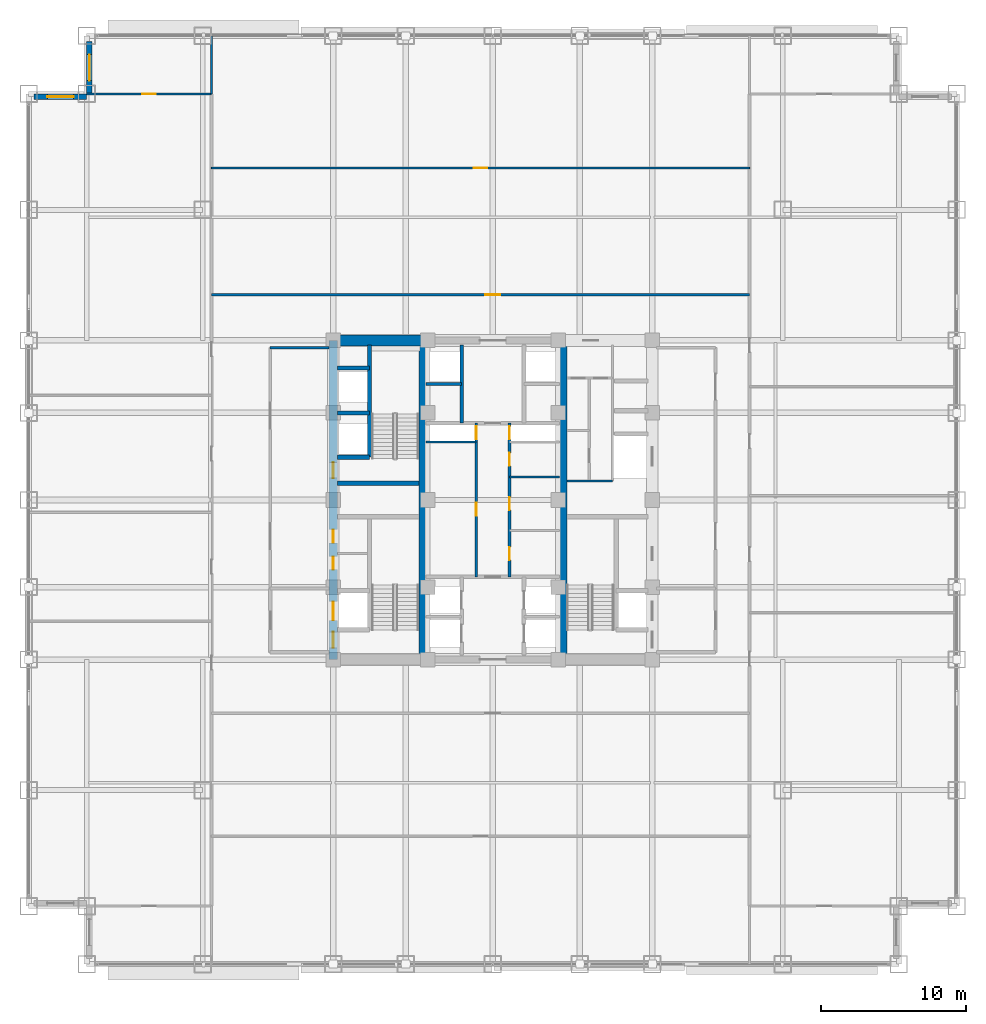
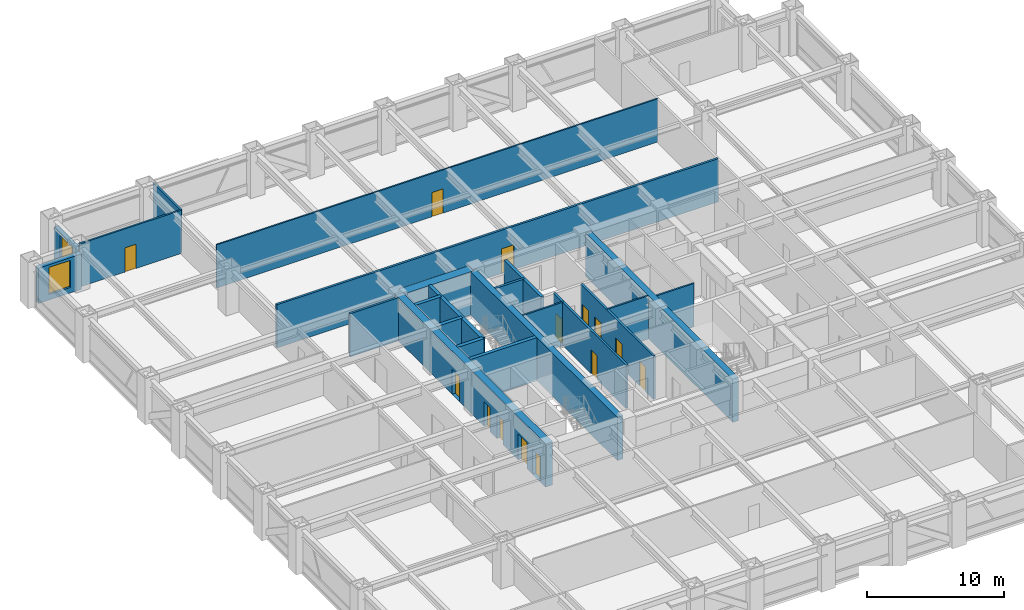
# One storey, part 25 of 32: 23 walls, 14 doors, 2 windows, 16 openings.
"""IFC4 building model written with IfcOpenShell, lengths in metres."""

from ifc_helpers import new_model, si_unit, direction, frame, frame_2d, origin, place, context, subcontext, project, spatial, rectangle, extrude, source, transform, mapped, material, layer, layer_set, type_object, element, fill, save


model = new_model("IFC4")

# Units and contexts
model_context = context("Model", 3, precision=1e-05, world=origin(), true_north=direction((0.0, 1.0)))
body_context = subcontext(model_context, "Body", "Model", "MODEL_VIEW")
ifc_project = project(units=[si_unit("LENGTHUNIT", "METRE"), si_unit("AREAUNIT", "SQUARE_METRE"), si_unit("VOLUMEUNIT", "CUBIC_METRE"), si_unit("PLANEANGLEUNIT", "RADIAN"), si_unit("MASSUNIT", "GRAM", prefix="KILO")], contexts=[model_context])

# Site, building, storey
site_placement = place(None, origin())
site = spatial("IfcSite", under=ifc_project, at=site_placement, CompositionType="ELEMENT")
building_placement = place(site_placement, origin())
building = spatial("IfcBuilding", under=site, at=building_placement, Name="Khorayat Bourse Tower", CompositionType="ELEMENT")
storey_placement = place(building_placement, frame((0.0, 0.0, 95.5)))
storey = spatial("IfcBuildingStorey", under=building, at=storey_placement, Name="L21", CompositionType="ELEMENT", Elevation=95.5)

# Wall, openings, doors
ifc_material_1 = material(Name="Concrete C60/75", Category="concrete")
ifc_layer_1 = layer(ifc_material_1, 0.60009765625)
ifc_layer_set_1 = layer_set([ifc_layer_1], Name="Concrete C60/75")
wall_type_1 = type_object("IfcWallType", Name="WAL-CORE-600", PredefinedType="SHEAR", material=ifc_layer_set_1)
shared_shape_1 = source(origin(), body_context, "Body", "SweptSolid", [
    extrude(rectangle(XDim=22.0, YDim=0.60009765625, at=frame_2d((11.0, 0.0))), origin(), (0.0, 0.0, 1.0), 3.840087890625),
])
wall_1_placement = place(storey_placement, frame((-11.0, -11.0, 0.0), z_axis=(0.0, 0.0, 1.0), x_axis=(0.0, 1.0, 0.0)))
wall_1 = element("IfcWall", 1, at=wall_1_placement, inside=storey, type_object=wall_type_1, Name="L21 Core Shear Wall CORE-W", PredefinedType="SHEAR", context=body_context, shape_type="MappedRepresentation", body=[
    mapped(shared_shape_1, transform((0.0, 0.0, 0.0), scale=1.0)),
])
shared_shape_2 = source(origin(), body_context, "Body", "SweptSolid", [
    extrude(rectangle(XDim=1.10009765625, YDim=2.199951171875, at=frame_2d((0.550048828125, 1.10009765625))), frame((0.0, 0.31005859375, 0.0), z_axis=(0.0, -1.0, 0.0), x_axis=(1.0, 0.0, 0.0)), (0.0, 0.0, 1.0), 0.6201171875),
])
opening_1_placement = place(wall_1_placement, frame((0.800048828125, 0.0, 0.0)))
opening_1 = element("IfcOpeningElement", 2, at=opening_1_placement, cuts=wall_1, Name="Opening DI-01", PredefinedType="OPENING", context=body_context, shape_type="MappedRepresentation", body=[
    mapped(shared_shape_2, transform((0.0, 0.0, 0.0), scale=1.0)),
])
opening_2_placement = place(wall_1_placement, frame((12.5, 0.0, 0.0)))
opening_2 = element("IfcOpeningElement", 3, at=opening_2_placement, cuts=wall_1, Name="Opening DI-01", PredefinedType="OPENING", context=body_context, shape_type="MappedRepresentation", body=[
    mapped(shared_shape_2, transform((0.0, 0.0, 0.0), scale=1.0)),
])
shared_shape_3 = source(origin(), body_context, "Body", "SweptSolid", [
    extrude(rectangle(XDim=0.89990234375, YDim=2.14990234375, at=frame_2d((0.449951171875, 1.074951171875))), frame((0.0, 0.31005859375, 0.0), z_axis=(0.0, -1.0, 0.0), x_axis=(1.0, 0.0, 0.0)), (0.0, 0.0, 1.0), 0.6201171875),
])
opening_3_placement = place(wall_1_placement, frame((6.199951171875, 0.0, 0.0)))
opening_3 = element("IfcOpeningElement", 4, at=opening_3_placement, cuts=wall_1, Name="Opening DI-06", PredefinedType="OPENING", context=body_context, shape_type="MappedRepresentation", body=[
    mapped(shared_shape_3, transform((0.0, 0.0, 0.0), scale=1.0)),
])
opening_4_placement = place(wall_1_placement, frame((8.050048828125, 0.0, 0.0)))
opening_4 = element("IfcOpeningElement", 5, at=opening_4_placement, cuts=wall_1, Name="Opening DI-06", PredefinedType="OPENING", context=body_context, shape_type="MappedRepresentation", body=[
    mapped(shared_shape_3, transform((0.0, 0.0, 0.0), scale=1.0)),
])
shared_shape_4 = source(origin(), body_context, "Body", "SweptSolid", [
    extrude(rectangle(XDim=1.300048828125, YDim=2.300048828125, at=frame_2d((0.64990234375, 1.14990234375))), frame((0.0, 0.31005859375, 0.0), z_axis=(0.0, -1.0, 0.0), x_axis=(1.0, 0.0, 0.0)), (0.0, 0.0, 1.0), 0.6201171875),
])
opening_5_placement = place(wall_1_placement, frame((2.699951171875, 0.0, 0.0)))
opening_5 = element("IfcOpeningElement", 6, at=opening_5_placement, cuts=wall_1, Name="Opening LD-02", PredefinedType="OPENING", context=body_context, shape_type="MappedRepresentation", body=[
    mapped(shared_shape_4, transform((0.0, 0.0, 0.0), scale=1.0)),
])
ifc_material_2 = material(Name="Fire-rated steel acoustic leaf", Category="steel")
door_type_1 = type_object("IfcDoorType", Name="DR-INT-STAIR-1100", OperationType="NOTDEFINED", PredefinedType="DOOR", material=ifc_material_2)
shared_shape_5 = source(origin(), body_context, "Body", "SweptSolid", [
    extrude(rectangle(XDim=1.10009765625, YDim=2.199951171875, at=frame_2d((0.550048828125, 1.10009765625))), frame((0.0, 0.02490234375, 0.0), z_axis=(0.0, -1.0, 0.0), x_axis=(1.0, 0.0, 0.0)), (0.0, 0.0, 1.0), 0.050048828125),
])
door_1_placement = place(opening_1_placement, origin())
door_1 = element("IfcDoor", 7, at=door_1_placement, inside=storey, type_object=door_type_1, Name="L21 Exit Stair 1 Door", OperationType="SINGLE_SWING_RIGHT", OverallHeight=2.199951171875, OverallWidth=1.10009765625, PredefinedType="DOOR", context=body_context, shape_type="MappedRepresentation", body=[
    mapped(shared_shape_5, transform((0.0, 0.0, 0.0), scale=1.0)),
])
fill(opening_1, door_1)
door_2_placement = place(opening_2_placement, origin())
door_2 = element("IfcDoor", 8, at=door_2_placement, inside=storey, type_object=door_type_1, Name="L21 Exit Stair 2 Door", OperationType="SINGLE_SWING_RIGHT", OverallHeight=2.199951171875, OverallWidth=1.10009765625, PredefinedType="DOOR", context=body_context, shape_type="MappedRepresentation", body=[
    mapped(shared_shape_5, transform((0.0, 0.0, 0.0), scale=1.0)),
])
fill(opening_2, door_2)
ifc_material_3 = material(Name="Moisture-resistant laminate washroom door")
door_type_2 = type_object("IfcDoorType", Name="DR-INT-WC-900", OperationType="NOTDEFINED", PredefinedType="DOOR", material=ifc_material_3)
shared_shape_6 = source(origin(), body_context, "Body", "SweptSolid", [
    extrude(rectangle(XDim=0.89990234375, YDim=2.14990234375, at=frame_2d((0.449951171875, 1.074951171875))), frame((0.0, 0.02490234375, 0.0), z_axis=(0.0, -1.0, 0.0), x_axis=(1.0, 0.0, 0.0)), (0.0, 0.0, 1.0), 0.050048828125),
])
door_3_placement = place(opening_3_placement, origin())
door_3 = element("IfcDoor", 9, at=door_3_placement, inside=storey, type_object=door_type_2, Name="L21 Electrical Plant Room Door", OperationType="SINGLE_SWING_RIGHT", OverallHeight=2.14990234375, OverallWidth=0.89990234375, PredefinedType="DOOR", context=body_context, shape_type="MappedRepresentation", body=[
    mapped(shared_shape_6, transform((0.0, 0.0, 0.0), scale=1.0)),
])
fill(opening_3, door_3)
door_4_placement = place(opening_4_placement, origin())
door_4 = element("IfcDoor", 10, at=door_4_placement, inside=storey, type_object=door_type_2, Name="L21 Cleaner Storage Room Door", OperationType="SINGLE_SWING_LEFT", OverallHeight=2.14990234375, OverallWidth=0.89990234375, PredefinedType="DOOR", context=body_context, shape_type="MappedRepresentation", body=[
    mapped(shared_shape_6, transform((0.0, 0.0, 0.0), scale=1.0)),
])
fill(opening_4, door_4)
ifc_material_4 = material(Name="Fire-rated stainless-steel sliding landing door", Category="steel")
door_type_3 = type_object("IfcDoorType", Name="DR-LIFT-FF-1300", OperationType="NOTDEFINED", PredefinedType="DOOR", material=ifc_material_4)
shared_shape_7 = source(origin(), body_context, "Body", "SweptSolid", [
    extrude(rectangle(XDim=1.300048828125, YDim=2.300048828125, at=frame_2d((0.64990234375, 1.14990234375))), frame((0.0, 0.02490234375, 0.0), z_axis=(0.0, -1.0, 0.0), x_axis=(1.0, 0.0, 0.0)), (0.0, 0.0, 1.0), 0.050048828125),
])
door_5_placement = place(opening_5_placement, origin())
door_5 = element("IfcDoor", 11, at=door_5_placement, inside=storey, type_object=door_type_3, Name="L21 Lift FFL-01 Sliding Landing Door", OperationType="SLIDING_TO_LEFT", OverallHeight=2.300048828125, OverallWidth=1.300048828125, PredefinedType="DOOR", context=body_context, shape_type="MappedRepresentation", body=[
    mapped(shared_shape_7, transform((0.0, 0.0, 0.0), scale=1.0)),
])
fill(opening_5, door_5)

# Walls
ifc_material_5 = material(Name="Concrete C52/65", Category="concrete")
ifc_layer_2 = layer(ifc_material_5, 0.5)
ifc_layer_set_2 = layer_set([ifc_layer_2], Name="Concrete C52/65")
wall_type_2 = type_object("IfcWallType", Name="WAL-CORE-500", PredefinedType="SHEAR", material=ifc_layer_set_2)
shared_shape_8 = source(origin(), body_context, "Body", "SweptSolid", [
    extrude(rectangle(XDim=21.39990234375, YDim=0.5, at=frame_2d((10.699951171875, 0.0))), origin(), (0.0, 0.0, 1.0), 3.840087890625),
])
for number, where, z_axis, x_axis, name in (
    (12, (-4.85009765625, -10.699951171875, 0.0), (0.0, 0.0, 1.0), (0.0, 1.0, 0.0), "L21 Core Shear Wall PIER-W"),
    (13, (4.85009765625, -10.699951171875, 0.0), (0.0, 0.0, 1.0), (0.0, 1.0, 0.0), "L21 Core Shear Wall PIER-E"),
):
    element("IfcWall", number, at=place(storey_placement, frame(where, z_axis=z_axis, x_axis=x_axis)), inside=storey, type_object=wall_type_2, Name=name, PredefinedType="SHEAR", context=body_context, shape_type="MappedRepresentation", body=[
        mapped(shared_shape_8, transform((0.0, 0.0, 0.0), scale=1.0)),
    ])
ifc_material_6 = material(Name="Concrete C72/90", Category="concrete")
ifc_layer_3 = layer(ifc_material_6, 0.75)
ifc_layer_set_3 = layer_set([ifc_layer_3], Name="Concrete C72/90")
wall_type_3 = type_object("IfcWallType", Name="WAL-CORE-750", PredefinedType="SHEAR", material=ifc_layer_set_3)
shared_shape_9 = source(origin(), body_context, "Body", "SweptSolid", [
    extrude(rectangle(XDim=5.849853515625, YDim=0.75, at=frame_2d((2.9248046875, 0.0))), origin(), (0.0, 0.0, 1.0), 3.840087890625),
])
wall_2_placement = place(storey_placement, frame((-10.699951171875, 11.0, 0.0), z_axis=(0.0, 0.0, 1.0), x_axis=(1.0, 0.0, 0.0)))
element("IfcWall", 14, at=wall_2_placement, inside=storey, type_object=wall_type_3, Name="L21 Core Shear Wall PIER-WN", PredefinedType="SHEAR", context=body_context, shape_type="MappedRepresentation", body=[
    mapped(shared_shape_9, transform((0.0, 0.0, 0.0), scale=1.0)),
])
ifc_material_7 = material(Name="Concrete C50/60", Category="concrete")
ifc_layer_4 = layer(ifc_material_7, 0.300048828125)
ifc_layer_set_4 = layer_set([ifc_layer_4], Name="Concrete C50/60")
wall_type_4 = type_object("IfcWallType", Name="WAL-SHAFT-300", PredefinedType="SHEAR", material=ifc_layer_set_4)
shared_shape_10 = source(origin(), body_context, "Body", "SweptSolid", [
    extrude(rectangle(XDim=5.599853515625, YDim=0.300048828125, at=frame_2d((2.7998046875, 0.0))), origin(), (0.0, 0.0, 1.0), 3.840087890625),
])
wall_3_placement = place(storey_placement, frame((-10.699951171875, 1.14990234375, 0.0), z_axis=(0.0, 0.0, 1.0), x_axis=(1.0, 0.0, 0.0)))
element("IfcWall", 15, at=wall_3_placement, inside=storey, type_object=wall_type_4, Name="L21 Core Shear Wall ST2-DIV", PredefinedType="SHEAR", context=body_context, shape_type="MappedRepresentation", body=[
    mapped(shared_shape_10, transform((0.0, 0.0, 0.0), scale=1.0)),
])

# Wall, opening, window
ifc_material_8 = material(Name="Precast concrete C45/55", Category="concrete")
ifc_layer_5 = layer(ifc_material_8, 0.3798828125)
ifc_layer_set_5 = layer_set([ifc_layer_5], Name="Precast concrete C45/55")
wall_type_5 = type_object("IfcWallType", Name="WAL-EXT-STONE-380", PredefinedType="STANDARD", material=ifc_layer_set_5)
shared_shape_11 = source(origin(), body_context, "Body", "SweptSolid", [
    extrude(rectangle(XDim=3.6201171875, YDim=0.3798828125, at=frame_2d((1.81005859375, 0.0))), origin(), (0.0, 0.0, 1.0), 3.14501953125),
])
wall_4_placement = place(storey_placement, frame((-27.81005859375, 28.0, 0.0), z_axis=(0.0, 0.0, 1.0), x_axis=(0.0, 1.0, 0.0)))
wall_4 = element("IfcWall", 16, at=wall_4_placement, inside=storey, type_object=wall_type_5, Name="L21 Re-Entrant Notch Limestone Wall NW-V", PredefinedType="STANDARD", context=body_context, shape_type="MappedRepresentation", body=[
    mapped(shared_shape_11, transform((0.0, 0.0, 0.0), scale=1.0)),
])
shared_shape_12 = source(origin(), body_context, "Body", "SweptSolid", [
    extrude(rectangle(XDim=1.800048828125, YDim=2.39990234375, at=frame_2d((0.89990234375, 1.199951171875))), frame((0.0, 0.199951171875, 0.0), z_axis=(0.0, -1.0, 0.0), x_axis=(1.0, 0.0, 0.0)), (0.0, 0.0, 1.0), 0.39990234375),
])
opening_6_placement = place(wall_4_placement, frame((0.909912109375, 0.0, 0.5)))
opening_6 = element("IfcOpeningElement", 17, at=opening_6_placement, cuts=wall_4, Name="Opening WN-04", PredefinedType="OPENING", context=body_context, shape_type="MappedRepresentation", body=[
    mapped(shared_shape_12, transform((0.0, 0.0, 0.0), scale=1.0)),
])
ifc_material_9 = material(Name="Low-E acoustic laminated double glazing", Category="glass")
window_type = type_object("IfcWindowType", Name="WIN-NOTCH-1800x2400", PartitioningType="SINGLE_PANEL", PredefinedType="WINDOW", material=ifc_material_9)
shared_shape_13 = source(origin(), body_context, "Body", "SweptSolid", [
    extrude(rectangle(XDim=1.800048828125, YDim=2.39990234375, at=frame_2d((0.89990234375, 1.199951171875))), frame((0.0, 0.030029296875, 0.0), z_axis=(0.0, -1.0, 0.0), x_axis=(1.0, 0.0, 0.0)), (0.0, 0.0, 1.0), 0.06005859375),
])
window_1_placement = place(opening_6_placement, origin())
window_1 = element("IfcWindow", 18, at=window_1_placement, inside=storey, type_object=window_type, Name="L21 Facade Window 1", OverallHeight=2.39990234375, OverallWidth=1.800048828125, PartitioningType="SINGLE_PANEL", PredefinedType="WINDOW", context=body_context, shape_type="MappedRepresentation", body=[
    mapped(shared_shape_13, transform((0.0, 0.0, 0.0), scale=1.0)),
])
fill(opening_6, window_1)

wall_5_placement = place(storey_placement, frame((-28.0, 27.81005859375, 0.0), z_axis=(0.0, 0.0, 1.0), x_axis=(-1.0, 0.0, 0.0)))
wall_5 = element("IfcWall", 19, at=wall_5_placement, inside=storey, type_object=wall_type_5, Name="L21 Re-Entrant Notch Limestone Wall NW-H", PredefinedType="STANDARD", context=body_context, shape_type="MappedRepresentation", body=[
    mapped(shared_shape_11, transform((0.0, 0.0, 0.0), scale=1.0)),
])
opening_7_placement = place(wall_5_placement, frame((0.909912109375, 0.0, 0.5)))
opening_7 = element("IfcOpeningElement", 20, at=opening_7_placement, cuts=wall_5, Name="Opening WN-04", PredefinedType="OPENING", context=body_context, shape_type="MappedRepresentation", body=[
    mapped(shared_shape_12, transform((0.0, 0.0, 0.0), scale=1.0)),
])
window_2_placement = place(opening_7_placement, origin())
window_2 = element("IfcWindow", 21, at=window_2_placement, inside=storey, type_object=window_type, Name="L21 Facade Window 1", OverallHeight=2.39990234375, OverallWidth=1.800048828125, PartitioningType="SINGLE_PANEL", PredefinedType="WINDOW", context=body_context, shape_type="MappedRepresentation", body=[
    mapped(shared_shape_13, transform((0.0, 0.0, 0.0), scale=1.0)),
])
fill(opening_7, window_2)

# Walls
shared_shape_14 = source(origin(), body_context, "Body", "SweptSolid", [
    extrude(rectangle(XDim=2.199951171875, YDim=0.300048828125, at=frame_2d((1.10009765625, 0.0))), origin(), (0.0, 0.0, 1.0), 3.840087890625),
])
for number, where, z_axis, x_axis, name in (
    (22, (-10.699951171875, 2.949951171875, 0.0), (0.0, 0.0, 1.0), (1.0, 0.0, 0.0), "L21 Partition WAL-L21-WPIER-H1S"),
    (23, (-10.699951171875, 6.0, 0.0), (0.0, 0.0, 1.0), (1.0, 0.0, 0.0), "L21 Partition WAL-L21-WPIER-H12"),
    (24, (-10.699951171875, 9.10009765625, 0.0), (0.0, 0.0, 1.0), (1.0, 0.0, 0.0), "L21 Partition WAL-L21-WPIER-H2N"),
):
    element("IfcWall", number, at=place(storey_placement, frame(where, z_axis=z_axis, x_axis=x_axis)), inside=storey, type_object=wall_type_4, Name=name, PredefinedType="SHEAR", context=body_context, shape_type="MappedRepresentation", body=[
        mapped(shared_shape_14, transform((0.0, 0.0, 0.0), scale=1.0)),
    ])
shared_shape_15 = source(origin(), body_context, "Body", "SweptSolid", [
    extrude(rectangle(XDim=7.75, YDim=0.300048828125, at=frame_2d((3.875, 0.0))), origin(), (0.0, 0.0, 1.0), 3.840087890625),
])
wall_6_placement = place(storey_placement, frame((-8.5, 2.949951171875, 0.0), z_axis=(0.0, 0.0, 1.0), x_axis=(0.0, 1.0, 0.0)))
element("IfcWall", 25, at=wall_6_placement, inside=storey, type_object=wall_type_4, Name="L21 Partition WAL-L21-WPIER-ST2S", PredefinedType="SHEAR", context=body_context, shape_type="MappedRepresentation", body=[
    mapped(shared_shape_15, transform((0.0, 0.0, 0.0), scale=1.0)),
])
ifc_material_10 = material(Name="Moisture-resistant masonry partition", Category="masonry")
ifc_layer_6 = layer(ifc_material_10, 0.139892578125)
ifc_layer_set_6 = layer_set([ifc_layer_6], Name="Moisture-resistant masonry partition")
wall_type_6 = type_object("IfcWallType", Name="WAL-PART-WET-140", PredefinedType="PARTITIONING", material=ifc_layer_set_6)
shared_shape_16 = source(origin(), body_context, "Body", "SweptSolid", [
    extrude(rectangle(XDim=3.14990234375, YDim=0.139892578125, at=frame_2d((1.574951171875, 0.0))), origin(), (0.0, 0.0, 1.0), 3.840087890625),
])
wall_7_placement = place(storey_placement, frame((5.10009765625, 1.300048828125, 0.0), z_axis=(0.0, 0.0, 1.0), x_axis=(1.0, 0.0, 0.0)))
element("IfcWall", 26, at=wall_7_placement, inside=storey, type_object=wall_type_6, Name="L21 Partition WAL-L21-ECORE-S", PredefinedType="PARTITIONING", context=body_context, shape_type="MappedRepresentation", body=[
    mapped(shared_shape_16, transform((0.0, 0.0, 0.0), scale=1.0)),
])
ifc_material_11 = material(Name="Gypsum plasterboard acoustic stud wall")
ifc_layer_7 = layer(ifc_material_11, 0.179931640625)
ifc_layer_set_7 = layer_set([ifc_layer_7], Name="Gypsum plasterboard acoustic stud wall")
wall_type_7 = type_object("IfcWallType", Name="WAL-PART-CORR-180", PredefinedType="PARTITIONING", material=ifc_layer_set_7)
shared_shape_17 = source(origin(), body_context, "Body", "SweptSolid", [
    extrude(rectangle(XDim=4.050048828125, YDim=0.179931640625, at=frame_2d((2.02490234375, 0.0))), origin(), (0.0, 0.0, 1.0), 3.840087890625),
])
wall_8_placement = place(storey_placement, frame((-15.35009765625, 10.5, 0.0), z_axis=(0.0, 0.0, 1.0), x_axis=(1.0, 0.0, 0.0)))
element("IfcWall", 27, at=wall_8_placement, inside=storey, type_object=wall_type_7, Name="L21 Partition WAL-L21-WLOB-N", PredefinedType="PARTITIONING", context=body_context, shape_type="MappedRepresentation", body=[
    mapped(shared_shape_17, transform((0.0, 0.0, 0.0), scale=1.0)),
])
ifc_material_12 = material(Name="Gypsum plasterboard twin-frame partition")
ifc_layer_8 = layer(ifc_material_12, 0.14990234375)
ifc_layer_set_8 = layer_set([ifc_layer_8], Name="Gypsum plasterboard twin-frame partition")
wall_type_8 = type_object("IfcWallType", Name="WAL-PART-SUITE-150", PredefinedType="PARTITIONING", material=ifc_layer_set_8)
shared_shape_18 = source(origin(), body_context, "Body", "SweptSolid", [
    extrude(rectangle(XDim=3.4501953125, YDim=0.14990234375, at=frame_2d((1.72509765625, 0.0))), origin(), (0.0, 0.0, 1.0), 3.840087890625),
])
wall_9_placement = place(storey_placement, frame((-4.60009765625, 4.0, 0.0), z_axis=(0.0, 0.0, 1.0), x_axis=(1.0, 0.0, 0.0)))
element("IfcWall", 28, at=wall_9_placement, inside=storey, type_object=wall_type_8, Name="L21 Partition WAL-L21-CRSW-S", PredefinedType="PARTITIONING", context=body_context, shape_type="MappedRepresentation", body=[
    mapped(shared_shape_18, transform((0.0, 0.0, 0.0), scale=1.0)),
])
shared_shape_19 = source(origin(), body_context, "Body", "SweptSolid", [
    extrude(rectangle(XDim=5.39990234375, YDim=0.25, at=frame_2d((2.699951171875, 0.0))), origin(), (0.0, 0.0, 1.0), 3.840087890625),
])
wall_10_placement = place(storey_placement, frame((-2.14990234375, 5.300048828125, 0.0), z_axis=(0.0, 0.0, 1.0), x_axis=(0.0, 1.0, 0.0)))
element("IfcWall", 29, at=wall_10_placement, inside=storey, type_object=wall_type_4, Name="L21 Partition WAL-L21-B2-W", PredefinedType="SHEAR", context=body_context, shape_type="MappedRepresentation", body=[
    mapped(shared_shape_19, transform((0.0, 0.0, 0.0), scale=1.0)),
])
shared_shape_20 = source(origin(), body_context, "Body", "SweptSolid", [
    extrude(rectangle(XDim=2.4501953125, YDim=0.199951171875, at=frame_2d((1.22509765625, 0.0))), origin(), (0.0, 0.0, 1.0), 3.840087890625),
])
wall_11_placement = place(storey_placement, frame((-4.60009765625, 8.0, 0.0), z_axis=(0.0, 0.0, 1.0), x_axis=(1.0, 0.0, 0.0)))
element("IfcWall", 30, at=wall_11_placement, inside=storey, type_object=wall_type_4, Name="L21 Partition WAL-L21-B2-MW", PredefinedType="SHEAR", context=body_context, shape_type="MappedRepresentation", body=[
    mapped(shared_shape_20, transform((0.0, 0.0, 0.0), scale=1.0)),
])

# Wall, openings, doors
shared_shape_21 = source(origin(), body_context, "Body", "SweptSolid", [
    extrude(rectangle(XDim=10.60009765625, YDim=0.179931640625, at=frame_2d((5.300048828125, 0.0))), origin(), (0.0, 0.0, 1.0), 3.840087890625),
])
wall_12_placement = place(storey_placement, frame((-1.14990234375, -5.300048828125, 0.0), z_axis=(0.0, 0.0, 1.0), x_axis=(0.0, 1.0, 0.0)))
wall_12 = element("IfcWall", 31, at=wall_12_placement, inside=storey, type_object=wall_type_7, Name="L21 Partition WAL-L21-CMW-L", PredefinedType="PARTITIONING", context=body_context, shape_type="MappedRepresentation", body=[
    mapped(shared_shape_21, transform((0.0, 0.0, 0.0), scale=1.0)),
])
shared_shape_22 = source(origin(), body_context, "Body", "SweptSolid", [
    extrude(rectangle(XDim=0.89990234375, YDim=2.14990234375, at=frame_2d((0.449951171875, 1.074951171875))), frame((0.0, 0.099853515625, 0.0), z_axis=(0.0, -1.0, 0.0), x_axis=(1.0, 0.0, 0.0)), (0.0, 0.0, 1.0), 0.199951171875),
])
opening_8_placement = place(wall_12_placement, frame((4.199951171875, 0.0, 0.0)))
opening_8 = element("IfcOpeningElement", 32, at=opening_8_placement, cuts=wall_12, Name="Opening DI-06", PredefinedType="OPENING", context=body_context, shape_type="MappedRepresentation", body=[
    mapped(shared_shape_22, transform((0.0, 0.0, 0.0), scale=1.0)),
])
opening_9_placement = place(wall_12_placement, frame((9.47509765625, 0.0, 0.0)))
opening_9 = element("IfcOpeningElement", 33, at=opening_9_placement, cuts=wall_12, Name="Opening DI-06", PredefinedType="OPENING", context=body_context, shape_type="MappedRepresentation", body=[
    mapped(shared_shape_22, transform((0.0, 0.0, 0.0), scale=1.0)),
])
door_6_placement = place(opening_8_placement, origin())
door_6 = element("IfcDoor", 34, at=door_6_placement, inside=storey, type_object=door_type_2, Name="L21 Male Core Washroom Door", OperationType="SINGLE_SWING_RIGHT", OverallHeight=2.14990234375, OverallWidth=0.89990234375, PredefinedType="DOOR", context=body_context, shape_type="MappedRepresentation", body=[
    mapped(shared_shape_6, transform((0.0, 0.0, 0.0), scale=1.0)),
])
fill(opening_8, door_6)
door_7_placement = place(opening_9_placement, origin())
door_7 = element("IfcDoor", 35, at=door_7_placement, inside=storey, type_object=door_type_2, Name="L21 West Core Riser Door", OperationType="SINGLE_SWING_LEFT", OverallHeight=2.14990234375, OverallWidth=0.89990234375, PredefinedType="DOOR", context=body_context, shape_type="MappedRepresentation", body=[
    mapped(shared_shape_6, transform((0.0, 0.0, 0.0), scale=1.0)),
])
fill(opening_9, door_7)

wall_13_placement = place(storey_placement, frame((1.14990234375, -5.300048828125, 0.0), z_axis=(0.0, 0.0, 1.0), x_axis=(0.0, 1.0, 0.0)))
wall_13 = element("IfcWall", 36, at=wall_13_placement, inside=storey, type_object=wall_type_7, Name="L21 Partition WAL-L21-CME-L", PredefinedType="PARTITIONING", context=body_context, shape_type="MappedRepresentation", body=[
    mapped(shared_shape_21, transform((0.0, 0.0, 0.0), scale=1.0)),
])
opening_10_placement = place(wall_13_placement, frame((1.14990234375, 0.0, 0.0)))
opening_10 = element("IfcOpeningElement", 37, at=opening_10_placement, cuts=wall_13, Name="Opening DI-06", PredefinedType="OPENING", context=body_context, shape_type="MappedRepresentation", body=[
    mapped(shared_shape_22, transform((0.0, 0.0, 0.0), scale=1.0)),
])
opening_11_placement = place(wall_13_placement, frame((4.60009765625, 0.0, 0.0)))
opening_11 = element("IfcOpeningElement", 38, at=opening_11_placement, cuts=wall_13, Name="Opening DI-06", PredefinedType="OPENING", context=body_context, shape_type="MappedRepresentation", body=[
    mapped(shared_shape_22, transform((0.0, 0.0, 0.0), scale=1.0)),
])
opening_12_placement = place(wall_13_placement, frame((7.64990234375, 0.0, 0.0)))
opening_12 = element("IfcOpeningElement", 39, at=opening_12_placement, cuts=wall_13, Name="Opening DI-06", PredefinedType="OPENING", context=body_context, shape_type="MappedRepresentation", body=[
    mapped(shared_shape_22, transform((0.0, 0.0, 0.0), scale=1.0)),
])
opening_13_placement = place(wall_13_placement, frame((9.47509765625, 0.0, 0.0)))
opening_13 = element("IfcOpeningElement", 40, at=opening_13_placement, cuts=wall_13, Name="Opening DI-06", PredefinedType="OPENING", context=body_context, shape_type="MappedRepresentation", body=[
    mapped(shared_shape_22, transform((0.0, 0.0, 0.0), scale=1.0)),
])
door_8_placement = place(opening_10_placement, origin())
door_8 = element("IfcDoor", 41, at=door_8_placement, inside=storey, type_object=door_type_2, Name="L21 Female Core Washroom Door", OperationType="SINGLE_SWING_RIGHT", OverallHeight=2.14990234375, OverallWidth=0.89990234375, PredefinedType="DOOR", context=body_context, shape_type="MappedRepresentation", body=[
    mapped(shared_shape_6, transform((0.0, 0.0, 0.0), scale=1.0)),
])
fill(opening_10, door_8)
door_9_placement = place(opening_11_placement, origin())
door_9 = element("IfcDoor", 42, at=door_9_placement, inside=storey, type_object=door_type_2, Name="L21 Cleaners Store Door", OperationType="SINGLE_SWING_LEFT", OverallHeight=2.14990234375, OverallWidth=0.89990234375, PredefinedType="DOOR", context=body_context, shape_type="MappedRepresentation", body=[
    mapped(shared_shape_6, transform((0.0, 0.0, 0.0), scale=1.0)),
])
fill(opening_11, door_9)
door_10_placement = place(opening_12_placement, origin())
door_10 = element("IfcDoor", 43, at=door_10_placement, inside=storey, type_object=door_type_2, Name="L21 Meter and BMS Plant Room Door", OperationType="SINGLE_SWING_RIGHT", OverallHeight=2.14990234375, OverallWidth=0.89990234375, PredefinedType="DOOR", context=body_context, shape_type="MappedRepresentation", body=[
    mapped(shared_shape_6, transform((0.0, 0.0, 0.0), scale=1.0)),
])
fill(opening_12, door_10)
door_11_placement = place(opening_13_placement, origin())
door_11 = element("IfcDoor", 44, at=door_11_placement, inside=storey, type_object=door_type_2, Name="L21 East Core Riser Door", OperationType="SINGLE_SWING_RIGHT", OverallHeight=2.14990234375, OverallWidth=0.89990234375, PredefinedType="DOOR", context=body_context, shape_type="MappedRepresentation", body=[
    mapped(shared_shape_6, transform((0.0, 0.0, 0.0), scale=1.0)),
])
fill(opening_13, door_11)

# Wall
shared_shape_23 = source(origin(), body_context, "Body", "SweptSolid", [
    extrude(rectangle(XDim=3.4501953125, YDim=0.139892578125, at=frame_2d((1.72509765625, 0.0))), origin(), (0.0, 0.0, 1.0), 3.840087890625),
])
wall_14_placement = place(storey_placement, frame((1.14990234375, 1.60009765625, 0.0), z_axis=(0.0, 0.0, 1.0), x_axis=(1.0, 0.0, 0.0)))
element("IfcWall", 45, at=wall_14_placement, inside=storey, type_object=wall_type_6, Name="L21 Partition WAL-L21-CME-D2", PredefinedType="PARTITIONING", context=body_context, shape_type="MappedRepresentation", body=[
    mapped(shared_shape_23, transform((0.0, 0.0, 0.0), scale=1.0)),
])

# Wall, opening, door
ifc_material_13 = material(Name="Gypsum plasterboard partition")
ifc_layer_9 = layer(ifc_material_13, 0.125)
ifc_layer_set_9 = layer_set([ifc_layer_9], Name="Gypsum plasterboard partition")
wall_type_9 = type_object("IfcWallType", Name="WAL-PART-ROOM-125", PredefinedType="PARTITIONING", material=ifc_layer_set_9)
shared_shape_24 = source(origin(), body_context, "Body", "SweptSolid", [
    extrude(rectangle(XDim=37.099853515625, YDim=0.125, at=frame_2d((18.5498046875, 0.0))), origin(), (0.0, 0.0, 1.0), 3.840087890625),
])
wall_15_placement = place(storey_placement, frame((-19.39990234375, 22.896484375, 0.0), z_axis=(0.0, 0.0, 1.0), x_axis=(1.0, 0.0, 0.0)))
wall_15 = element("IfcWall", 46, at=wall_15_placement, inside=storey, type_object=wall_type_9, Name="L21 Partition WAL-L21-NDP-1", PredefinedType="PARTITIONING", context=body_context, shape_type="MappedRepresentation", body=[
    mapped(shared_shape_24, transform((0.0, 0.0, 0.0), scale=1.0)),
])
shared_shape_25 = source(origin(), body_context, "Body", "SweptSolid", [
    extrude(rectangle(XDim=0.949951171875, YDim=2.14990234375, at=frame_2d((0.47509765625, 1.074951171875))), frame((0.0, 0.072509765625, 0.0), z_axis=(0.0, -1.0, 0.0), x_axis=(1.0, 0.0, 0.0)), (0.0, 0.0, 1.0), 0.14501953125),
])
opening_14_placement = place(wall_15_placement, frame((18.074951171875, 0.0, 0.0)))
opening_14 = element("IfcOpeningElement", 47, at=opening_14_placement, cuts=wall_15, Name="Opening DI-05", PredefinedType="OPENING", context=body_context, shape_type="MappedRepresentation", body=[
    mapped(shared_shape_25, transform((0.0, 0.0, 0.0), scale=1.0)),
])
ifc_material_14 = material(Name="Acoustic oak veneer office door")
door_type_4 = type_object("IfcDoorType", Name="DR-INT-OFFICE-950", OperationType="NOTDEFINED", PredefinedType="DOOR", material=ifc_material_14)
shared_shape_26 = source(origin(), body_context, "Body", "SweptSolid", [
    extrude(rectangle(XDim=0.949951171875, YDim=2.14990234375, at=frame_2d((0.47509765625, 1.074951171875))), frame((0.0, 0.02490234375, 0.0), z_axis=(0.0, -1.0, 0.0), x_axis=(1.0, 0.0, 0.0)), (0.0, 0.0, 1.0), 0.050048828125),
])
door_12_placement = place(opening_14_placement, origin())
door_12 = element("IfcDoor", 48, at=door_12_placement, inside=storey, type_object=door_type_4, Name="L21 Members Exchange Lounge N1B Door", OperationType="SINGLE_SWING_RIGHT", OverallHeight=2.14990234375, OverallWidth=0.949951171875, PredefinedType="DOOR", context=body_context, shape_type="MappedRepresentation", body=[
    mapped(shared_shape_26, transform((0.0, 0.0, 0.0), scale=1.0)),
])
fill(opening_14, door_12)

shared_shape_27 = source(origin(), body_context, "Body", "SweptSolid", [
    extrude(rectangle(XDim=37.099853515625, YDim=0.179931640625, at=frame_2d((18.5498046875, 0.0))), origin(), (0.0, 0.0, 1.0), 3.840087890625),
])
wall_16_placement = place(storey_placement, frame((-19.39990234375, 14.14990234375, 0.0), z_axis=(0.0, 0.0, 1.0), x_axis=(1.0, 0.0, 0.0)))
wall_16 = element("IfcWall", 49, at=wall_16_placement, inside=storey, type_object=wall_type_7, Name="L21 Partition WAL-L21-NCORR", PredefinedType="PARTITIONING", context=body_context, shape_type="MappedRepresentation", body=[
    mapped(shared_shape_27, transform((0.0, 0.0, 0.0), scale=1.0)),
])
shared_shape_28 = source(origin(), body_context, "Body", "SweptSolid", [
    extrude(rectangle(XDim=1.050048828125, YDim=2.199951171875, at=frame_2d((0.52490234375, 1.10009765625))), frame((0.0, 0.099853515625, 0.0), z_axis=(0.0, -1.0, 0.0), x_axis=(1.0, 0.0, 0.0)), (0.0, 0.0, 1.0), 0.199951171875),
])
opening_15_placement = place(wall_16_placement, frame((18.875, 0.0, 0.0)))
opening_15 = element("IfcOpeningElement", 50, at=opening_15_placement, cuts=wall_16, Name="Opening DI-04", PredefinedType="OPENING", context=body_context, shape_type="MappedRepresentation", body=[
    mapped(shared_shape_28, transform((0.0, 0.0, 0.0), scale=1.0)),
])
ifc_material_15 = material(Name="Fire-rated oak veneer suite entrance door")
door_type_5 = type_object("IfcDoorType", Name="DR-INT-SUITE-1050", OperationType="NOTDEFINED", PredefinedType="DOOR", material=ifc_material_15)
shared_shape_29 = source(origin(), body_context, "Body", "SweptSolid", [
    extrude(rectangle(XDim=1.050048828125, YDim=2.199951171875, at=frame_2d((0.52490234375, 1.10009765625))), frame((0.0, 0.02490234375, 0.0), z_axis=(0.0, -1.0, 0.0), x_axis=(1.0, 0.0, 0.0)), (0.0, 0.0, 1.0), 0.050048828125),
])
door_13_placement = place(opening_15_placement, origin())
door_13 = element("IfcDoor", 51, at=door_13_placement, inside=storey, type_object=door_type_5, Name="L21 Executive Wellness Fitness Gym N1 Door", OperationType="SINGLE_SWING_RIGHT", OverallHeight=2.199951171875, OverallWidth=1.050048828125, PredefinedType="DOOR", context=body_context, shape_type="MappedRepresentation", body=[
    mapped(shared_shape_29, transform((0.0, 0.0, 0.0), scale=1.0)),
])
fill(opening_15, door_13)

# Wall
shared_shape_30 = source(origin(), body_context, "Body", "SweptSolid", [
    extrude(rectangle(XDim=4.0, YDim=0.14990234375, at=frame_2d((2.0, 0.0))), origin(), (0.0, 0.0, 1.0), 3.840087890625),
])
wall_17_placement = place(storey_placement, frame((-19.39990234375, 28.0, 0.0), z_axis=(0.0, 0.0, 1.0), x_axis=(0.0, 1.0, 0.0)))
element("IfcWall", 52, at=wall_17_placement, inside=storey, type_object=wall_type_8, Name="L21 Partition WAL-L21-NCW-END", PredefinedType="PARTITIONING", context=body_context, shape_type="MappedRepresentation", body=[
    mapped(shared_shape_30, transform((0.0, 0.0, 0.0), scale=1.0)),
])

# Wall, opening, door
shared_shape_31 = source(origin(), body_context, "Body", "SweptSolid", [
    extrude(rectangle(XDim=8.60009765625, YDim=0.14990234375, at=frame_2d((4.300048828125, 0.0))), origin(), (0.0, 0.0, 1.0), 3.840087890625),
])
wall_18_placement = place(storey_placement, frame((-28.0, 28.0, 0.0), z_axis=(0.0, 0.0, 1.0), x_axis=(1.0, 0.0, 0.0)))
wall_18 = element("IfcWall", 53, at=wall_18_placement, inside=storey, type_object=wall_type_8, Name="L21 Partition WAL-L21-CNW", PredefinedType="PARTITIONING", context=body_context, shape_type="MappedRepresentation", body=[
    mapped(shared_shape_31, transform((0.0, 0.0, 0.0), scale=1.0)),
])
shared_shape_32 = source(origin(), body_context, "Body", "SweptSolid", [
    extrude(rectangle(XDim=0.949951171875, YDim=2.14990234375, at=frame_2d((0.47509765625, 1.074951171875))), frame((0.0, 0.0849609375, 0.0), z_axis=(0.0, -1.0, 0.0), x_axis=(1.0, 0.0, 0.0)), (0.0, 0.0, 1.0), 0.169921875),
])
opening_16_placement = place(wall_18_placement, frame((3.824951171875, 0.0, 0.0)))
opening_16 = element("IfcOpeningElement", 54, at=opening_16_placement, cuts=wall_18, Name="Opening DI-05", PredefinedType="OPENING", context=body_context, shape_type="MappedRepresentation", body=[
    mapped(shared_shape_32, transform((0.0, 0.0, 0.0), scale=1.0)),
])
door_14_placement = place(opening_16_placement, origin())
door_14 = element("IfcDoor", 55, at=door_14_placement, inside=storey, type_object=door_type_4, Name="L21 North-West Corner Meeting Room Door", OperationType="SINGLE_SWING_LEFT", OverallHeight=2.14990234375, OverallWidth=0.949951171875, PredefinedType="DOOR", context=body_context, shape_type="MappedRepresentation", body=[
    mapped(shared_shape_26, transform((0.0, 0.0, 0.0), scale=1.0)),
])
fill(opening_16, door_14)

save(model, "model.ifc")
